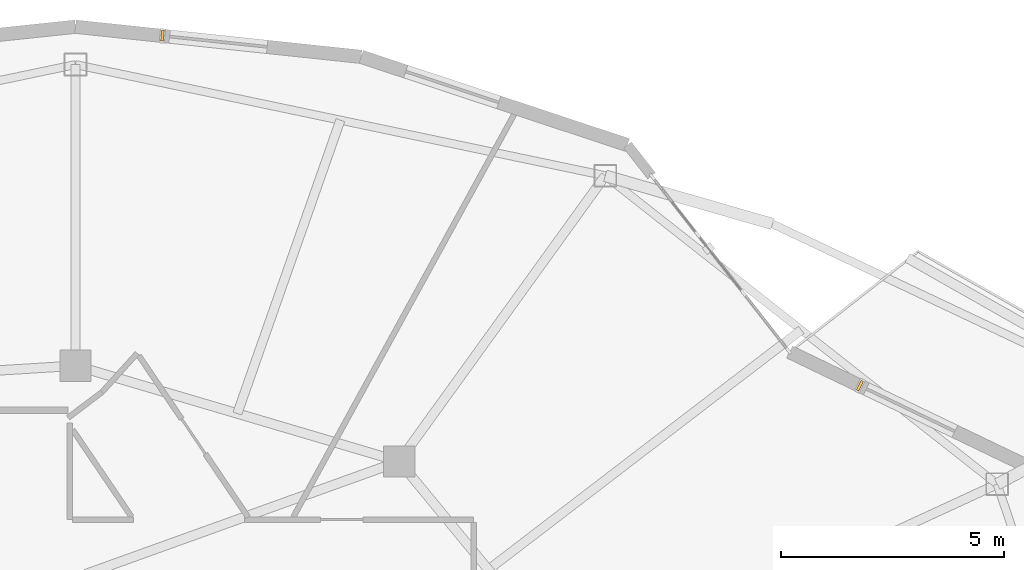
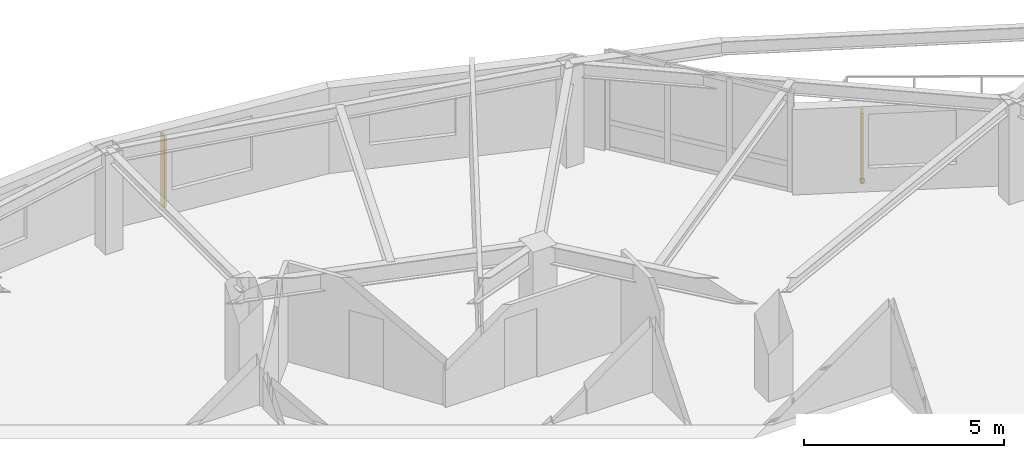
# One storey, part 12 of 12: 2 shading devices.
"""IFC4 building model written with IfcOpenShell, lengths in metres."""

import ifcopenshell
import ifcopenshell.guid

model = None  # the IFC model being written
_history = None  # IfcOwnerHistory: only IFC2X3 demands one
_inside = {}  # id of a spatial element -> (the spatial element, [elements in it])
_under = {}  # id of a project, library or spatial element -> (it, [spatial elements below it])
_declared = {}  # id of a project -> (the project, [libraries it declares])
_typed = {}  # id of a type object -> (the type object, [elements of that type])
_made_of = {}  # id of a material, layer set ... -> (it, [elements and type objects made of it])


def new_model(schema):
    """Start an empty IFC model of exactly this schema.

    Asked for "IFC4X3", IfcOpenShell would pick the latest addendum, in which some entities
    have other attributes; the version numbers below select the first issue.
    IFC2X3 requires an IfcOwnerHistory on every rooted entity: one is made here for all.
    """
    global model, _history
    if schema == "IFC4X3":
        model = ifcopenshell.file(schema_version=(4, 3, 0, 0))
    else:
        model = ifcopenshell.file(schema=schema)
    _inside.clear()
    _under.clear()
    _declared.clear()
    _typed.clear()
    _made_of.clear()
    _history = None
    if model.schema == "IFC2X3":
        org = make("IfcOrganization", Name="unknown")
        user = make(
            "IfcPersonAndOrganization",
            ThePerson=make("IfcPerson", FamilyName="unknown"),
            TheOrganization=org,
        )
        app = make(
            "IfcApplication",
            ApplicationDeveloper=org,
            Version="unknown",
            ApplicationFullName="unknown",
            ApplicationIdentifier="unknown",
        )
        _history = make(
            "IfcOwnerHistory",
            OwningUser=user,
            OwningApplication=app,
            ChangeAction="ADDED",
            CreationDate=0,
        )
    return model


def make(cls, **values):
    """One entity of the class cls with the attributes given. An attribute that is None is left unset."""
    return model.create_entity(
        cls, **{name: value for name, value in values.items() if value is not None}
    )


def rooted(cls, **values):
    """An entity with a GlobalId (a new one), such as an element, a storey or a relation."""
    return make(cls, GlobalId=ifcopenshell.guid.new(), OwnerHistory=_history, **values)


def si_unit(unit_type, name, prefix=None):
    """IfcSIUnit, for example si_unit("LENGTHUNIT", "METRE", prefix="MILLI")."""
    return make("IfcSIUnit", UnitType=unit_type, Prefix=prefix, Name=name)


def assignment(units):
    """IfcUnitAssignment: the units of a project."""
    return None if units is None else make("IfcUnitAssignment", Units=units)


def point(xyz):
    """IfcCartesianPoint."""
    return None if xyz is None else make("IfcCartesianPoint", Coordinates=xyz)


def direction(xyz):
    """IfcDirection."""
    return None if xyz is None else make("IfcDirection", DirectionRatios=xyz)


def frame(location, z_axis=None, x_axis=None):
    """IfcAxis2Placement3D, a coordinate frame: its origin and axes. An axis left out is left unset."""
    return make(
        "IfcAxis2Placement3D",
        Location=point(location),
        Axis=direction(z_axis),
        RefDirection=direction(x_axis),
    )


def frame_2d(location, x_axis=None):
    """IfcAxis2Placement2D, a coordinate frame in the plane: its origin and x axis."""
    return make(
        "IfcAxis2Placement2D", Location=point(location), RefDirection=direction(x_axis)
    )


def origin():
    """The frame at (0, 0, 0) with its axes left unset."""
    return frame((0.0, 0.0, 0.0))


def origin_2d():
    """The frame at (0, 0) in the plane with its x axis left unset."""
    return frame_2d((0.0, 0.0))


def place(relative_to, where):
    """IfcLocalPlacement: puts the frame where relative to a parent placement (None: the world)."""
    return make(
        "IfcLocalPlacement", PlacementRelTo=relative_to, RelativePlacement=where
    )


def context(
    kind, dimensions, precision=None, world=None, true_north=None, identifier=None
):
    """IfcGeometricRepresentationContext, for example the 3D "Model" context."""
    return make(
        "IfcGeometricRepresentationContext",
        ContextIdentifier=identifier,
        ContextType=kind,
        CoordinateSpaceDimension=dimensions,
        Precision=precision,
        WorldCoordinateSystem=world,
        TrueNorth=true_north,
    )


def subcontext(parent, identifier, kind, view, scale=None):
    """IfcGeometricRepresentationSubContext, for example "Body" below "Model"."""
    return make(
        "IfcGeometricRepresentationSubContext",
        ContextIdentifier=identifier,
        ContextType=kind,
        ParentContext=parent,
        TargetScale=scale,
        TargetView=view,
    )


def project(units=None, contexts=None):
    """IfcProject with its units and contexts."""
    return rooted(
        "IfcProject",
        Name="project",
        RepresentationContexts=contexts,
        UnitsInContext=assignment(units),
    )


def spatial(cls, under=None, at=None, **own):
    """A site, building, storey or space (cls), placed at a placement, below another one or the project."""
    s = rooted(cls, ObjectPlacement=at, **own)
    if under is not None:
        _under.setdefault(under.id(), (under, []))[1].append(s)
    return s


def profile(cls, at=None, kind="AREA", **sizes):
    """A parametric profile (cls). Its sizes go by their IFC names, for example OverallWidth=200.0."""
    return make(cls, ProfileType=kind, Position=at, **sizes)


def rectangle(**sizes):
    """IfcRectangleProfileDef."""
    return profile("IfcRectangleProfileDef", **sizes)


def extrude(swept, where, along, depth):
    """IfcExtrudedAreaSolid: the profile swept, set in the frame where, extruded along a direction by depth."""
    return make(
        "IfcExtrudedAreaSolid",
        SweptArea=swept,
        Position=where,
        ExtrudedDirection=direction(along),
        Depth=depth,
    )


def shape(context_of_items, identifier, shape_type, items):
    """IfcShapeRepresentation: the items that make up one representation, for example the "Body"."""
    return make(
        "IfcShapeRepresentation",
        ContextOfItems=context_of_items,
        RepresentationIdentifier=identifier,
        RepresentationType=shape_type,
        Items=items,
    )


def material(Name=None, Category=None):
    """IfcMaterial."""
    return make("IfcMaterial", Name=Name, Category=Category)


def made_of(thing, what):
    """Note that an element or type object is made of a material, layer set ...; save() writes the relation."""
    if what is not None:
        _made_of.setdefault(what.id(), (what, []))[1].append(thing)
    return thing


def type_object(cls, material=None, **own):
    """A type object (cls), such as IfcWallType, which elements share."""
    return made_of(rooted(cls, **own), material)


def element(
    cls,
    number,
    at=None,
    inside=None,
    cuts=None,
    type_object=None,
    material=None,
    context=None,
    identifier="Body",
    shape_type=None,
    held_by="IfcProductDefinitionShape",
    body=None,
    shapes=None,
    **own,
):
    """One element of the class cls, such as IfcWall. Its Tag is "e" and its number.

    at: its placement. inside: the storey or other place that contains it. cuts: it is an
    opening in that element (IfcRelVoidsElement). A single representation is given by context,
    identifier, shape_type and body (its items); several are given by shapes. held_by: the class
    of the entity that holds the representations. save() writes the other relations.
    """
    e = rooted(cls, Tag="e%d" % number, ObjectPlacement=at, **own)
    if body is not None:
        shapes = [shape(context, identifier, shape_type, body)]
    if shapes is not None:
        e.Representation = make(held_by, Representations=shapes)
    if inside is not None:
        _inside.setdefault(inside.id(), (inside, []))[1].append(e)
    if cuts is not None:
        rooted(
            "IfcRelVoidsElement", RelatingBuildingElement=cuts, RelatedOpeningElement=e
        )
    if type_object is not None:
        _typed.setdefault(type_object.id(), (type_object, []))[1].append(e)
    return made_of(e, material)


def aggregate(whole, parts):
    """IfcRelAggregates: a whole, such as a stair, and the parts it consists of."""
    return rooted("IfcRelAggregates", RelatingObject=whole, RelatedObjects=parts)


def save(model, path):
    """Write the relations noted so far, then the file.

    IfcRelAggregates (storeys below a building ...), IfcRelContainedInSpatialStructure (elements
    in a storey), IfcRelDefinesByType, IfcRelAssociatesMaterial and IfcRelDeclares: one each for
    every whole, place, type object, material and project.
    """
    for whole, parts in _under.values():
        aggregate(whole, parts)
    for where, things in _inside.values():
        rooted(
            "IfcRelContainedInSpatialStructure",
            RelatedElements=things,
            RelatingStructure=where,
        )
    for kind, things in _typed.values():
        rooted("IfcRelDefinesByType", RelatedObjects=things, RelatingType=kind)
    for what, things in _made_of.values():
        rooted("IfcRelAssociatesMaterial", RelatedObjects=things, RelatingMaterial=what)
    for by, libraries in _declared.values():
        rooted("IfcRelDeclares", RelatingContext=by, RelatedDefinitions=libraries)
    model.write(path)


model = new_model("IFC4")

# Units and contexts
model_context = context("Model", 3, precision=1e-05, world=origin(), true_north=direction((0.0, 1.0)))
body_context = subcontext(model_context, "Body", "Model", "MODEL_VIEW")
ifc_project = project(units=[si_unit("LENGTHUNIT", "METRE"), si_unit("AREAUNIT", "SQUARE_METRE"), si_unit("VOLUMEUNIT", "CUBIC_METRE"), si_unit("PLANEANGLEUNIT", "RADIAN"), si_unit("MASSUNIT", "GRAM", prefix="KILO")], contexts=[model_context])

# Site, building, storey
site_placement = place(None, origin())
site = spatial("IfcSite", under=ifc_project, at=site_placement, CompositionType="ELEMENT")
building_placement = place(site_placement, origin())
building = spatial("IfcBuilding", under=site, at=building_placement, Name="Kolvaren Gate Tower and Convention Centre", CompositionType="ELEMENT")
storey_placement = place(building_placement, frame((0.0, 0.0, 199.699951171875)))
storey = spatial("IfcBuildingStorey", under=building, at=storey_placement, Name="L52", CompositionType="ELEMENT", Elevation=199.699951171875)

# Shading devices
ifc_material = material(Name="Kiln-Fired Bogota Terracotta Ceramic Louvre Profile", Category="masonry")
shading_device_type = type_object("IfcShadingDeviceType", Name="ARCH-SHD-FIN-180", PredefinedType="JALOUSIE", material=ifc_material)
for number, where, z_axis, x_axis, name in (
    (1, (47.7099609375, 38.74951171875, 0.22021484375), (0.0, 0.0, 1.0), (0.90135914581, -0.433072384555, 0.0), "Ceramic Vertical Brise-Soleil Fin FN-L52-02"),
    (2, (32.0751953125, 46.594482421875, 0.22021484375), (0.0, 0.0, 1.0), (0.994498884311, -0.104747167526, 0.0), "Ceramic Vertical Brise-Soleil Fin FN-L52-05"),
):
    element("IfcShadingDevice", number, at=place(storey_placement, frame(where, z_axis=z_axis, x_axis=x_axis)), inside=storey, type_object=shading_device_type, Name=name, PredefinedType="JALOUSIE", context=body_context, shape_type="SweptSolid", body=[
        extrude(rectangle(XDim=0.06005859375, YDim=0.239990234375, at=origin_2d()), origin(), (0.0, 0.0, 1.0), 2.14990234375),
    ])

save(model, "model.ifc")
